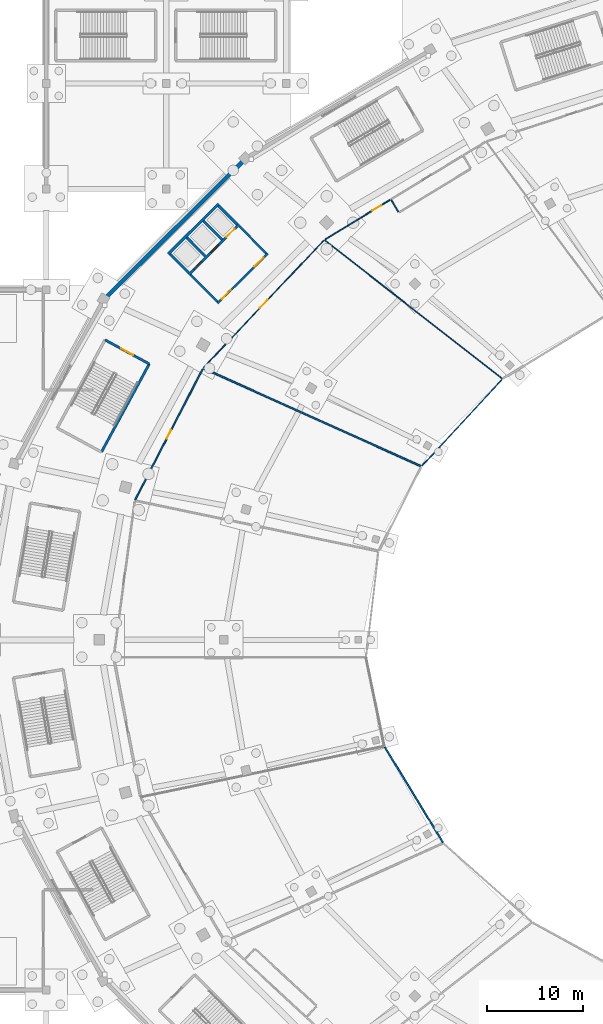
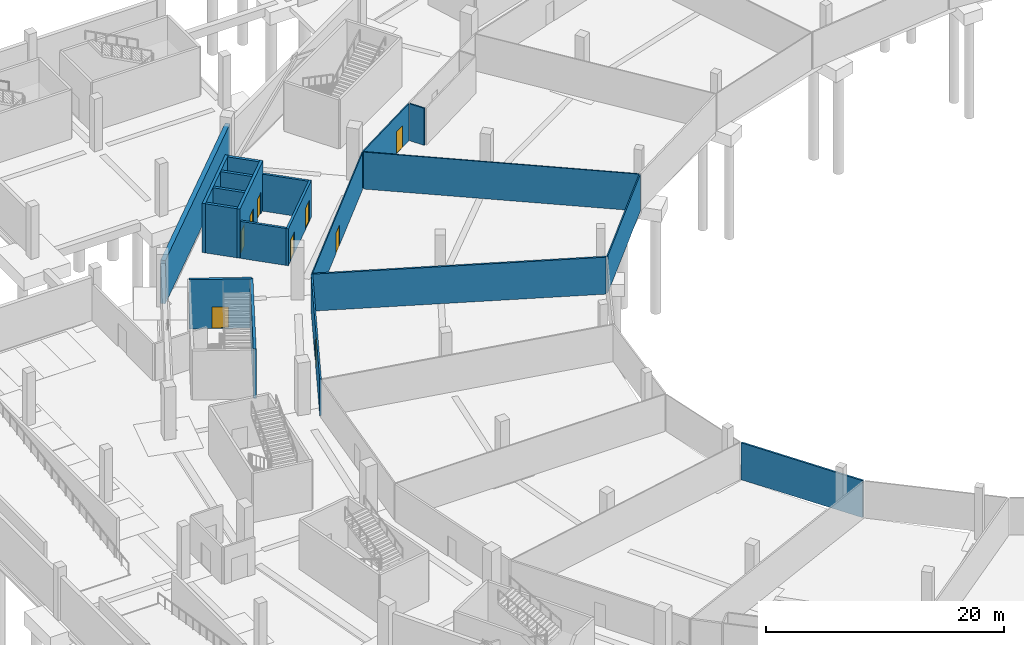
# One storey, part 37 of 74: 20 walls, 9 doors, 9 openings.
"""IFC4 building model written with IfcOpenShell, lengths in metres."""

from ifc_helpers import new_model, si_unit, direction, frame, frame_2d, origin, place, context, subcontext, project, spatial, rectangle, extrude, material, layer, layer_set, type_object, element, fill, save


model = new_model("IFC4")

# Units and contexts
model_context = context("Model", 3, precision=1e-05, world=origin(), true_north=direction((0.0, 1.0)))
body_context = subcontext(model_context, "Body", "Model", "MODEL_VIEW")
ifc_project = project(units=[si_unit("LENGTHUNIT", "METRE"), si_unit("AREAUNIT", "SQUARE_METRE"), si_unit("VOLUMEUNIT", "CUBIC_METRE"), si_unit("PLANEANGLEUNIT", "RADIAN"), si_unit("MASSUNIT", "GRAM", prefix="KILO")], contexts=[model_context])

# Site, building, storey
site_placement = place(None, origin())
site = spatial("IfcSite", under=ifc_project, at=site_placement, CompositionType="ELEMENT")
building_placement = place(site_placement, origin())
building = spatial("IfcBuilding", under=site, at=building_placement, Name="Zlatoyarsky Gate Stadium", CompositionType="ELEMENT")
storey_placement = place(building_placement, frame((0.0, 0.0, -5.39990234375)))
storey = spatial("IfcBuildingStorey", under=building, at=storey_placement, Name="B1", CompositionType="ELEMENT", Elevation=-5.39990234375)

# Walls
ifc_material_1 = material(Name="Double-stud acoustic gypsum partition", Category="gypsum")
ifc_layer_1 = layer(ifc_material_1, 0.169921875)
ifc_layer_set_1 = layer_set([ifc_layer_1], Name="Double-stud acoustic gypsum partition")
wall_type_1 = type_object("IfcWallType", Name="ACOUSTIC BROADCAST STUDIO WALL 170", PredefinedType="PARTITIONING", material=ifc_layer_set_1)
wall_1_placement = place(storey_placement, frame((63.52392578125, 98.110595703125, 0.0), z_axis=(0.0, 0.0, 1.0), x_axis=(-0.911932375355, 0.410340520519, 0.0)))
element("IfcWall", 1, at=wall_1_placement, inside=storey, type_object=wall_type_1, Name="B1 interior partition PRT-B1-IRD-10", PredefinedType="PARTITIONING", context=body_context, shape_type="SweptSolid", body=[
    extrude(rectangle(XDim=24.793701171875, YDim=0.169921875, at=frame_2d((12.39697265625, 0.0))), origin(), (0.0, 0.0, 1.0), 3.7998046875),
])
wall_2_placement = place(storey_placement, frame((59.779052734375, 68.8310546875, 0.0), z_axis=(0.0, 0.0, 1.0), x_axis=(0.52048815538, -0.853868889297, 0.0)))
element("IfcWall", 2, at=wall_2_placement, inside=storey, type_object=wall_type_1, Name="B1 interior partition PRT-B1-IRN-13", PredefinedType="PARTITIONING", context=body_context, shape_type="SweptSolid", body=[
    extrude(rectangle(XDim=11.646728515625, YDim=0.169921875, at=frame_2d((5.8232421875, 0.0))), origin(), (0.0, 0.0, 1.0), 3.7998046875),
])
ifc_material_2 = material(Name="Anodised aluminium acoustic operable wall", Category="aluminium")
ifc_layer_2 = layer(ifc_material_2, 0.114990234375)
ifc_layer_set_2 = layer_set([ifc_layer_2], Name="Anodised aluminium acoustic operable wall")
wall_type_2 = type_object("IfcWallType", Name="ACOUSTIC OPERABLE SUITE WALL 115", PredefinedType="MOVABLE", material=ifc_layer_set_2)
wall_3_placement = place(storey_placement, frame((72.001953125, 107.140380859375, 0.0), z_axis=(0.0, 0.0, 1.0), x_axis=(-0.679722908401, -0.733468995797, 0.0)))
element("IfcWall", 3, at=wall_3_placement, inside=storey, type_object=wall_type_2, Name="B1 interior partition PRT-B1-IRN-09", PredefinedType="MOVABLE", context=body_context, shape_type="SweptSolid", body=[
    extrude(rectangle(XDim=12.273681640625, YDim=0.114990234375, at=frame_2d((6.13671875, 0.0))), origin(), (0.0, 0.0, 1.0), 3.7998046875),
])

# Wall, opening, door
ifc_material_3 = material(Name="Metal-stud gypsum partition", Category="gypsum")
ifc_layer_3 = layer(ifc_material_3, 0.14990234375)
ifc_layer_set_3 = layer_set([ifc_layer_3], Name="Metal-stud gypsum partition")
wall_type_3 = type_object("IfcWallType", Name="CONCOURSE CORRIDOR PARTITION 150", PredefinedType="PARTITIONING", material=ifc_layer_set_3)
wall_4_placement = place(storey_placement, frame((40.79736328125, 108.243896484375, 0.0), z_axis=(0.0, 0.0, 1.0), x_axis=(-0.458369031368, -0.888761965367, 0.0)))
wall_4 = element("IfcWall", 4, at=wall_4_placement, inside=storey, type_object=wall_type_3, Name="B1 interior partition PRT-B1-ICC-10", PredefinedType="PARTITIONING", context=body_context, shape_type="SweptSolid", body=[
    extrude(rectangle(XDim=15.350341796875, YDim=0.14990234375, at=frame_2d((7.67529296875, 0.0))), origin(), (0.0, 0.0, 1.0), 3.7998046875),
])
opening_1_placement = place(wall_4_placement, frame((7.165283203125, 0.0, 0.0)))
opening_1 = element("IfcOpeningElement", 5, at=opening_1_placement, cuts=wall_4, Name="Opening D-B1-042", PredefinedType="OPENING", context=body_context, shape_type="SweptSolid", body=[
    extrude(rectangle(XDim=1.02001953125, YDim=2.3798828125, at=frame_2d((0.510009765625, 1.18994140625))), frame((0.0, 0.0849609375, 0.0), z_axis=(0.0, -1.0, 0.0), x_axis=(1.0, 0.0, 0.0)), (0.0, 0.0, 1.0), 0.169921875),
])
ifc_material_4 = material(Name="Powder-coated steel fire door", Category="steel")
door_type_1 = type_object("IfcDoorType", Name="ACOUSTIC INTERIOR DOOR 1020X2380", OperationType="NOTDEFINED", PredefinedType="DOOR", material=ifc_material_4)
door_1_placement = place(opening_1_placement, origin())
door_1 = element("IfcDoor", 6, at=door_1_placement, inside=storey, type_object=door_type_1, Name="B1 room door D-B1-042", OperationType="SINGLE_SWING_LEFT", OverallHeight=2.3798828125, OverallWidth=1.02001953125, PredefinedType="DOOR", context=body_context, shape_type="SweptSolid", body=[
    extrude(rectangle(XDim=1.02001953125, YDim=2.3798828125, at=frame_2d((0.510009765625, 1.18994140625))), frame((0.0, 0.02490234375, 0.0), z_axis=(0.0, -1.0, 0.0), x_axis=(1.0, 0.0, 0.0)), (0.0, 0.0, 1.0), 0.050048828125),
])
fill(opening_1, door_1)

# Walls
ifc_material_5 = material(Name="Concrete C35/45", Category="concrete")
ifc_layer_4 = layer(ifc_material_5, 0.419921875)
ifc_layer_set_4 = layer_set([ifc_layer_4], Name="Concrete C35/45")
wall_type_4 = type_object("IfcWallType", Name="CONCRETE BASEMENT RETAINING WALL 420", PredefinedType="SOLIDWALL", material=ifc_layer_set_4)
wall_5_placement = place(storey_placement, frame((45.2744140625, 130.169189453125, 0.0), z_axis=(0.0, 0.0, 1.0), x_axis=(-0.708961581499, -0.705247102765, 0.0)))
element("IfcWall", 7, at=wall_5_placement, inside=storey, type_object=wall_type_4, Name="B1 perimeter retaining wall sector 09", PredefinedType="SOLIDWALL", context=body_context, shape_type="SweptSolid", body=[
    extrude(rectangle(XDim=20.83544921875, YDim=0.419921875, at=frame_2d((10.417724609375, 0.0))), origin(), (0.0, 0.0, 1.0), 4.449951171875),
])
ifc_material_6 = material(Name="Concrete C40/50", Category="concrete")
ifc_layer_5 = layer(ifc_material_6, 0.27001953125)
ifc_layer_set_5 = layer_set([ifc_layer_5], Name="Concrete C40/50")
wall_type_5 = type_object("IfcWallType", Name="CONCRETE LIFT SHAFT SHEAR WALL 270", PredefinedType="SHEAR", material=ifc_layer_set_5)
wall_6_placement = place(storey_placement, frame((42.452880859375, 125.443603515625, 0.0), z_axis=(0.0, 0.0, 1.0), x_axis=(-0.708902567846, -0.705306422274, 0.0)))
element("IfcWall", 8, at=wall_6_placement, inside=storey, type_object=wall_type_5, Name="C2 B1 lift shaft rear wall", PredefinedType="SHEAR", context=body_context, shape_type="SweptSolid", body=[
    extrude(rectangle(XDim=7.39990234375, YDim=0.27001953125, at=frame_2d((3.699951171875, 0.0))), origin(), (0.0, 0.0, 1.0), 5.0498046875),
])
for number, where, z_axis, x_axis, name in (
    (9, (42.45947265625, 125.24560546875, 0.0), (0.0, 0.0, 1.0), (0.705322518225, -0.708886553183, 0.0), "C2 B1 lift shaft left wall"),
    (10, (37.405029296875, 120.216796875, 0.0), (0.0, 0.0, 1.0), (0.705322518225, -0.708886553183, 0.0), "C2 B1 lift shaft right wall"),
    (11, (40.87158203125, 123.665771484375, 0.0), (0.0, 0.0, 1.0), (0.705322518225, -0.708886553183, 0.0), "C2 B1 lift shaft divider 1"),
    (12, (39.134765625, 121.937744140625, 0.0), (0.0, 0.0, 1.0), (0.705322518225, -0.708886553183, 0.0), "C2 B1 lift shaft divider 2"),
):
    element("IfcWall", number, at=place(storey_placement, frame(where, z_axis=z_axis, x_axis=x_axis)), inside=storey, type_object=wall_type_5, Name=name, PredefinedType="SHEAR", context=body_context, shape_type="SweptSolid", body=[
        extrude(rectangle(XDim=2.739990234375, YDim=0.27001953125, at=frame_2d((1.3701171875, 0.0))), origin(), (0.0, 0.0, 1.0), 5.0498046875),
    ])

# Wall, openings, doors
wall_7_placement = place(storey_placement, frame((44.590087890625, 123.295654296875, 0.0), z_axis=(0.0, 0.0, 1.0), x_axis=(-0.708918979457, -0.705289926602, 0.0)))
wall_7 = element("IfcWall", 13, at=wall_7_placement, inside=storey, type_object=wall_type_5, Name="C2 B1 lift landing front wall", PredefinedType="SHEAR", context=body_context, shape_type="SweptSolid", body=[
    extrude(rectangle(XDim=7.400146484375, YDim=0.27001953125, at=frame_2d((3.7001953125, 0.0))), origin(), (0.0, 0.0, 1.0), 5.0498046875),
])
opening_2_placement = place(wall_7_placement, frame((0.64990234375, 0.0, 0.0)))
opening_2 = element("IfcOpeningElement", 14, at=opening_2_placement, cuts=wall_7, Name="Opening LD-FL-02-B1", PredefinedType="OPENING", context=body_context, shape_type="SweptSolid", body=[
    extrude(rectangle(XDim=1.199951171875, YDim=2.25, at=frame_2d((0.60009765625, 1.125))), frame((0.0, 0.14501953125, 0.0), z_axis=(0.0, -1.0, 0.0), x_axis=(1.0, 0.0, 0.0)), (0.0, 0.0, 1.0), 0.2900390625),
])
opening_3_placement = place(wall_7_placement, frame((3.050048828125, 0.0, 0.0)))
opening_3 = element("IfcOpeningElement", 15, at=opening_3_placement, cuts=wall_7, Name="Opening LD-LF-03-B1", PredefinedType="OPENING", context=body_context, shape_type="SweptSolid", body=[
    extrude(rectangle(XDim=1.10009765625, YDim=2.199951171875, at=frame_2d((0.550048828125, 1.10009765625))), frame((0.0, 0.14501953125, 0.0), z_axis=(0.0, -1.0, 0.0), x_axis=(1.0, 0.0, 0.0)), (0.0, 0.0, 1.0), 0.2900390625),
])
opening_4_placement = place(wall_7_placement, frame((5.5, 0.0, 0.0)))
opening_4 = element("IfcOpeningElement", 16, at=opening_4_placement, cuts=wall_7, Name="Opening LD-LF-04-B1", PredefinedType="OPENING", context=body_context, shape_type="SweptSolid", body=[
    extrude(rectangle(XDim=1.10009765625, YDim=2.199951171875, at=frame_2d((0.550048828125, 1.10009765625))), frame((0.0, 0.14501953125, 0.0), z_axis=(0.0, -1.0, 0.0), x_axis=(1.0, 0.0, 0.0)), (0.0, 0.0, 1.0), 0.2900390625),
])
door_type_2 = type_object("IfcDoorType", Name="STAINLESS LIFT LANDING SLIDING DOOR 1100X2200", OperationType="DOUBLE_DOOR_SLIDING", PredefinedType="DOOR", material=ifc_material_4)
door_2_placement = place(opening_3_placement, origin())
door_2 = element("IfcDoor", 17, at=door_2_placement, inside=storey, type_object=door_type_2, Name="Lift LF-03 B1 sliding landing door", OperationType="DOUBLE_DOOR_SLIDING", OverallHeight=2.199951171875, OverallWidth=1.10009765625, PredefinedType="DOOR", context=body_context, shape_type="SweptSolid", body=[
    extrude(rectangle(XDim=1.10009765625, YDim=2.199951171875, at=frame_2d((0.550048828125, 1.10009765625))), frame((0.0, 0.02490234375, 0.0), z_axis=(0.0, -1.0, 0.0), x_axis=(1.0, 0.0, 0.0)), (0.0, 0.0, 1.0), 0.050048828125),
])
fill(opening_3, door_2)
door_3_placement = place(opening_4_placement, origin())
door_3 = element("IfcDoor", 18, at=door_3_placement, inside=storey, type_object=door_type_2, Name="Lift LF-04 B1 sliding landing door", OperationType="DOUBLE_DOOR_SLIDING", OverallHeight=2.199951171875, OverallWidth=1.10009765625, PredefinedType="DOOR", context=body_context, shape_type="SweptSolid", body=[
    extrude(rectangle(XDim=1.10009765625, YDim=2.199951171875, at=frame_2d((0.550048828125, 1.10009765625))), frame((0.0, 0.02490234375, 0.0), z_axis=(0.0, -1.0, 0.0), x_axis=(1.0, 0.0, 0.0)), (0.0, 0.0, 1.0), 0.050048828125),
])
fill(opening_4, door_3)
door_type_3 = type_object("IfcDoorType", Name="STAINLESS LIFT LANDING SLIDING DOOR 1200X2250", OperationType="DOUBLE_DOOR_SLIDING", PredefinedType="DOOR", material=ifc_material_4)
door_4_placement = place(opening_2_placement, origin())
door_4 = element("IfcDoor", 19, at=door_4_placement, inside=storey, type_object=door_type_3, Name="Lift FL-02 B1 sliding landing door", OperationType="DOUBLE_DOOR_SLIDING", OverallHeight=2.25, OverallWidth=1.199951171875, PredefinedType="DOOR", context=body_context, shape_type="SweptSolid", body=[
    extrude(rectangle(XDim=1.199951171875, YDim=2.25, at=frame_2d((0.60009765625, 1.125))), frame((0.0, 0.02490234375, 0.0), z_axis=(0.0, -1.0, 0.0), x_axis=(1.0, 0.0, 0.0)), (0.0, 0.0, 1.0), 0.050048828125),
])
fill(opening_2, door_4)

# Wall, opening, door
ifc_layer_6 = layer(ifc_material_6, 0.25)
ifc_layer_set_6 = layer_set([ifc_layer_6], Name="Concrete C40/50")
wall_type_6 = type_object("IfcWallType", Name="CONCRETE STAIR CORE SHEAR WALL 250", PredefinedType="SHEAR", material=ifc_layer_set_6)
wall_8_placement = place(storey_placement, frame((35.229736328125, 108.764892578125, 0.0), z_axis=(0.0, 0.0, 1.0), x_axis=(-0.878941993928, 0.476928685769, 0.0)))
wall_8 = element("IfcWall", 20, at=wall_8_placement, inside=storey, type_object=wall_type_6, Name="ST-06 B1 stair core entrance shear wall", PredefinedType="SHEAR", context=body_context, shape_type="SweptSolid", body=[
    extrude(rectangle(XDim=5.25, YDim=0.25, at=frame_2d((2.625, 0.0))), origin(), (0.0, 0.0, 1.0), 5.0498046875),
])
opening_5_placement = place(wall_8_placement, frame((1.925048828125, 0.0, 0.0)))
opening_5 = element("IfcOpeningElement", 21, at=opening_5_placement, cuts=wall_8, Name="Opening SD-ST-06-B1", PredefinedType="OPENING", context=body_context, shape_type="SweptSolid", body=[
    extrude(rectangle(XDim=1.39990234375, YDim=2.199951171875, at=frame_2d((0.699951171875, 1.10009765625))), frame((0.0, 0.135009765625, 0.0), z_axis=(0.0, -1.0, 0.0), x_axis=(1.0, 0.0, 0.0)), (0.0, 0.0, 1.0), 0.27001953125),
])
door_type_4 = type_object("IfcDoorType", Name="STAIR CORE FIRE EXIT DOOR 1400X2200", OperationType="NOTDEFINED", PredefinedType="DOOR", material=ifc_material_4)
door_5_placement = place(opening_5_placement, frame((1.39990234375, 0.0, 0.0), z_axis=(0.0, 0.0, 1.0), x_axis=(-1.0, 0.0, 0.0)))
door_5 = element("IfcDoor", 22, at=door_5_placement, inside=storey, type_object=door_type_4, Name="ST-06 B1 stair fire door", OperationType="SINGLE_SWING_RIGHT", OverallHeight=2.199951171875, OverallWidth=1.39990234375, PredefinedType="DOOR", context=body_context, shape_type="SweptSolid", body=[
    extrude(rectangle(XDim=1.39990234375, YDim=2.199951171875, at=frame_2d((0.699951171875, 1.10009765625))), frame((0.0, 0.02490234375, 0.0), z_axis=(0.0, -1.0, 0.0), x_axis=(1.0, 0.0, 0.0)), (0.0, 0.0, 1.0), 0.050048828125),
])
fill(opening_5, door_5)

# Walls
wall_9_placement = place(storey_placement, frame((30.246337890625, 99.579833984375, 0.0), z_axis=(0.0, 0.0, 1.0), x_axis=(0.476886649814, 0.878964802042, 0.0)))
element("IfcWall", 23, at=wall_9_placement, inside=storey, type_object=wall_type_6, Name="ST-06 B1 stair core right shear wall", PredefinedType="SHEAR", context=body_context, shape_type="SweptSolid", body=[
    extrude(rectangle(XDim=10.449951171875, YDim=0.25, at=frame_2d((5.22509765625, 0.0))), origin(), (0.0, 0.0, 1.0), 5.0498046875),
])
ifc_material_7 = material(Name="Autoclaved aerated concrete masonry EI 120", Category="masonry")
ifc_layer_7 = layer(ifc_material_7, 0.219970703125)
ifc_layer_set_7 = layer_set([ifc_layer_7], Name="Autoclaved aerated concrete masonry EI 120")
wall_type_7 = type_object("IfcWallType", Name="FIREFIGHTING LOBBY RATED WALL 220", PredefinedType="PARTITIONING", material=ifc_layer_set_7)
for number, where, z_axis, x_axis, name in (
    (24, (44.621337890625, 123.1083984375, 0.0), (0.0, 0.0, 1.0), (0.705294916294, -0.708914015273, 0.0), "C2 B1 firefighting lobby left wall"),
    (25, (39.531494140625, 118.044189453125, 0.0), (0.0, 0.0, 1.0), (0.705294916294, -0.708914015273, 0.0), "C2 B1 firefighting lobby right wall"),
):
    element("IfcWall", number, at=place(storey_placement, frame(where, z_axis=z_axis, x_axis=x_axis)), inside=storey, type_object=wall_type_7, Name=name, PredefinedType="PARTITIONING", context=body_context, shape_type="SweptSolid", body=[
        extrude(rectangle(XDim=3.97998046875, YDim=0.219970703125, at=frame_2d((1.989990234375, 0.0))), origin(), (0.0, 0.0, 1.0), 3.7998046875),
    ])

# Wall, openings, doors
wall_10_placement = place(storey_placement, frame((47.583984375, 120.286376953125, 0.0), z_axis=(0.0, 0.0, 1.0), x_axis=(-0.708902567846, -0.705306422274, 0.0)))
wall_10 = element("IfcWall", 26, at=wall_10_placement, inside=storey, type_object=wall_type_7, Name="C2 B1 firefighting lobby front wall", PredefinedType="PARTITIONING", context=body_context, shape_type="SweptSolid", body=[
    extrude(rectangle(XDim=7.39990234375, YDim=0.219970703125, at=frame_2d((3.699951171875, 0.0))), origin(), (0.0, 0.0, 1.0), 3.7998046875),
])
opening_6_placement = place(wall_10_placement, frame((0.64990234375, 0.0, 0.0)))
opening_6 = element("IfcOpeningElement", 27, at=opening_6_placement, cuts=wall_10, Name="Opening FD-C2-B1-A", PredefinedType="OPENING", context=body_context, shape_type="SweptSolid", body=[
    extrude(rectangle(XDim=1.300048828125, YDim=2.199951171875, at=frame_2d((0.64990234375, 1.10009765625))), frame((0.0, 0.119873046875, 0.0), z_axis=(0.0, -1.0, 0.0), x_axis=(1.0, 0.0, 0.0)), (0.0, 0.0, 1.0), 0.239990234375),
])
opening_7_placement = place(wall_10_placement, frame((5.449951171875, 0.0, 0.0)))
opening_7 = element("IfcOpeningElement", 28, at=opening_7_placement, cuts=wall_10, Name="Opening FD-C2-B1-B", PredefinedType="OPENING", context=body_context, shape_type="SweptSolid", body=[
    extrude(rectangle(XDim=1.300048828125, YDim=2.199951171875, at=frame_2d((0.64990234375, 1.10009765625))), frame((0.0, 0.119873046875, 0.0), z_axis=(0.0, -1.0, 0.0), x_axis=(1.0, 0.0, 0.0)), (0.0, 0.0, 1.0), 0.239990234375),
])
door_type_5 = type_object("IfcDoorType", Name="FIREFIGHTING LOBBY FIRE DOOR 1300X2200", OperationType="NOTDEFINED", PredefinedType="DOOR", material=ifc_material_4)
door_6_placement = place(opening_6_placement, origin())
door_6 = element("IfcDoor", 29, at=door_6_placement, inside=storey, type_object=door_type_5, Name="C2 B1 firefighting lobby fire door FD-C2-B1-A", OperationType="SINGLE_SWING_LEFT", OverallHeight=2.199951171875, OverallWidth=1.300048828125, PredefinedType="DOOR", context=body_context, shape_type="SweptSolid", body=[
    extrude(rectangle(XDim=1.300048828125, YDim=2.199951171875, at=frame_2d((0.64990234375, 1.10009765625))), frame((0.0, 0.02490234375, 0.0), z_axis=(0.0, -1.0, 0.0), x_axis=(1.0, 0.0, 0.0)), (0.0, 0.0, 1.0), 0.050048828125),
])
fill(opening_6, door_6)
door_7_placement = place(opening_7_placement, origin())
door_7 = element("IfcDoor", 30, at=door_7_placement, inside=storey, type_object=door_type_5, Name="C2 B1 firefighting lobby fire door FD-C2-B1-B", OperationType="SINGLE_SWING_RIGHT", OverallHeight=2.199951171875, OverallWidth=1.300048828125, PredefinedType="DOOR", context=body_context, shape_type="SweptSolid", body=[
    extrude(rectangle(XDim=1.300048828125, YDim=2.199951171875, at=frame_2d((0.64990234375, 1.10009765625))), frame((0.0, 0.02490234375, 0.0), z_axis=(0.0, -1.0, 0.0), x_axis=(1.0, 0.0, 0.0)), (0.0, 0.0, 1.0), 0.050048828125),
])
fill(opening_7, door_7)

# Wall, opening, door
ifc_material_8 = material(Name="Timber-veneered acoustic operable partition", Category="wood")
ifc_layer_8 = layer(ifc_material_8, 0.094970703125)
ifc_layer_set_8 = layer_set([ifc_layer_8], Name="Timber-veneered acoustic operable partition")
wall_type_8 = type_object("IfcWallType", Name="FOLDING BANQUET SALON WALL 95", PredefinedType="MOVABLE", material=ifc_layer_set_8)
wall_11_placement = place(storey_placement, frame((53.411865234375, 121.62890625, 0.0), z_axis=(0.0, 0.0, 1.0), x_axis=(-0.686776525623, -0.72686862902, 0.0)))
wall_11 = element("IfcWall", 31, at=wall_11_placement, inside=storey, type_object=wall_type_8, Name="B1 interior partition PRT-B1-ICC-09", PredefinedType="MOVABLE", context=body_context, shape_type="SweptSolid", body=[
    extrude(rectangle(XDim=18.225830078125, YDim=0.094970703125, at=frame_2d((9.11279296875, 0.0))), origin(), (0.0, 0.0, 1.0), 3.7998046875),
])
opening_8_placement = place(wall_11_placement, frame((8.532958984375, 0.0, 0.0)))
opening_8 = element("IfcOpeningElement", 32, at=opening_8_placement, cuts=wall_11, Name="Opening D-B1-039", PredefinedType="OPENING", context=body_context, shape_type="SweptSolid", body=[
    extrude(rectangle(XDim=1.159912109375, YDim=2.10009765625, at=frame_2d((0.580078125, 1.050048828125))), frame((0.0, 0.057373046875, 0.0), z_axis=(0.0, -1.0, 0.0), x_axis=(1.0, 0.0, 0.0)), (0.0, 0.0, 1.0), 0.114990234375),
])
ifc_material_9 = material(Name="Solid-core oak veneer acoustic door", Category="wood")
door_type_6 = type_object("IfcDoorType", Name="ACOUSTIC INTERIOR DOOR 1160X2100", OperationType="NOTDEFINED", PredefinedType="DOOR", material=ifc_material_9)
door_8_placement = place(opening_8_placement, origin())
door_8 = element("IfcDoor", 33, at=door_8_placement, inside=storey, type_object=door_type_6, Name="B1 room door D-B1-039", OperationType="SINGLE_SWING_RIGHT", OverallHeight=2.10009765625, OverallWidth=1.159912109375, PredefinedType="DOOR", context=body_context, shape_type="SweptSolid", body=[
    extrude(rectangle(XDim=1.159912109375, YDim=2.10009765625, at=frame_2d((0.580078125, 1.050048828125))), frame((0.0, 0.02490234375, 0.0), z_axis=(0.0, -1.0, 0.0), x_axis=(1.0, 0.0, 0.0)), (0.0, 0.0, 1.0), 0.050048828125),
])
fill(opening_8, door_8)

ifc_layer_9 = layer(ifc_material_3, 0.110107421875)
ifc_layer_set_9 = layer_set([ifc_layer_9], Name="Metal-stud gypsum partition")
wall_type_9 = type_object("IfcWallType", Name="KIOSK SERVICE PARTITION 110", PredefinedType="PARTITIONING", material=ifc_layer_set_9)
wall_12_placement = place(storey_placement, frame((60.339111328125, 125.868896484375, 0.0), z_axis=(0.0, 0.0, 1.0), x_axis=(-0.854352016918, -0.519694748086, 0.0)))
wall_12 = element("IfcWall", 34, at=wall_12_placement, inside=storey, type_object=wall_type_9, Name="B1 interior partition PRT-B1-ICC-08", PredefinedType="PARTITIONING", context=body_context, shape_type="SweptSolid", body=[
    extrude(rectangle(XDim=7.954833984375, YDim=0.110107421875, at=frame_2d((3.9775390625, 0.0))), origin(), (0.0, 0.0, 1.0), 3.7998046875),
])
opening_9_placement = place(wall_12_placement, frame((1.10009765625, 0.0, 0.0)))
opening_9 = element("IfcOpeningElement", 35, at=opening_9_placement, cuts=wall_12, Name="Opening D-B1-036", PredefinedType="OPENING", context=body_context, shape_type="SweptSolid", body=[
    extrude(rectangle(XDim=1.080078125, YDim=2.239990234375, at=frame_2d((0.5400390625, 1.1201171875))), frame((0.0, 0.06494140625, 0.0), z_axis=(0.0, -1.0, 0.0), x_axis=(1.0, 0.0, 0.0)), (0.0, 0.0, 1.0), 0.130126953125),
])
door_type_7 = type_object("IfcDoorType", Name="ACOUSTIC INTERIOR DOOR 1080X2240", OperationType="NOTDEFINED", PredefinedType="DOOR", material=ifc_material_9)
door_9_placement = place(opening_9_placement, origin())
door_9 = element("IfcDoor", 36, at=door_9_placement, inside=storey, type_object=door_type_7, Name="B1 room door D-B1-036", OperationType="SINGLE_SWING_LEFT", OverallHeight=2.239990234375, OverallWidth=1.080078125, PredefinedType="DOOR", context=body_context, shape_type="SweptSolid", body=[
    extrude(rectangle(XDim=1.080078125, YDim=2.239990234375, at=frame_2d((0.5400390625, 1.1201171875))), frame((0.0, 0.02490234375, 0.0), z_axis=(0.0, -1.0, 0.0), x_axis=(1.0, 0.0, 0.0)), (0.0, 0.0, 1.0), 0.050048828125),
])
fill(opening_9, door_9)

# Walls
ifc_layer_10 = layer(ifc_material_3, 0.10009765625)
ifc_layer_set_10 = layer_set([ifc_layer_10], Name="Metal-stud gypsum partition")
wall_type_10 = type_object("IfcWallType", Name="LIGHT STORAGE PARTITION 100", PredefinedType="PARTITIONING", material=ifc_layer_set_10)
wall_13_placement = place(storey_placement, frame((71.99267578125, 107.2548828125, 0.0), z_axis=(0.0, 0.0, 1.0), x_axis=(-0.788747859293, 0.614716857148, 0.0)))
element("IfcWall", 37, at=wall_13_placement, inside=storey, type_object=wall_type_10, Name="B1 interior partition PRT-B1-IRD-09", PredefinedType="PARTITIONING", context=body_context, shape_type="SweptSolid", body=[
    extrude(rectangle(XDim=23.398193359375, YDim=0.10009765625, at=frame_2d((11.69921875, 0.0))), origin(), (0.0, 0.0, 1.0), 3.7998046875),
])
ifc_material_10 = material(Name="Moisture-resistant tile-backed partition", Category="gypsum")
ifc_layer_11 = layer(ifc_material_10, 0.1298828125)
ifc_layer_set_11 = layer_set([ifc_layer_11], Name="Moisture-resistant tile-backed partition")
wall_type_11 = type_object("IfcWallType", Name="SANITARY WET ROOM PARTITION 130", PredefinedType="PARTITIONING", material=ifc_layer_set_11)
wall_14_placement = place(storey_placement, frame((60.455810546875, 125.840576171875, 0.0), z_axis=(0.0, 0.0, 1.0), x_axis=(0.519833209456, -0.854267776722, 0.0)))
element("IfcWall", 38, at=wall_14_placement, inside=storey, type_object=wall_type_11, Name="B1 interior partition PRT-B1-WC08-R", PredefinedType="PARTITIONING", context=body_context, shape_type="SweptSolid", body=[
    extrude(rectangle(XDim=1.43017578125, YDim=0.1298828125, at=frame_2d((0.715087890625, 0.0))), origin(), (0.0, 0.0, 1.0), 3.7998046875),
])

save(model, "model.ifc")
